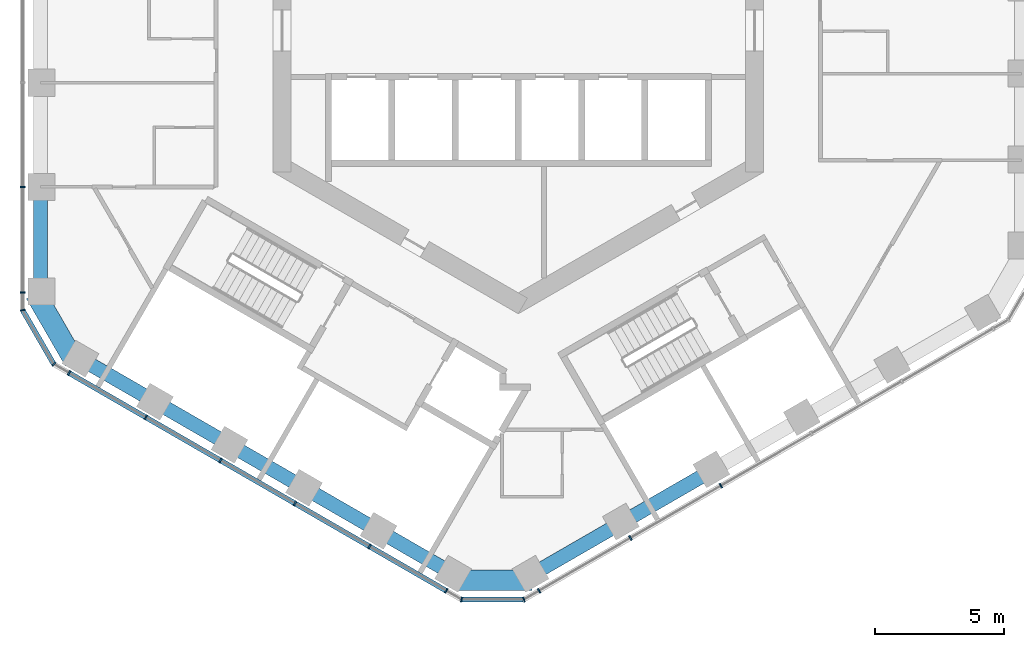
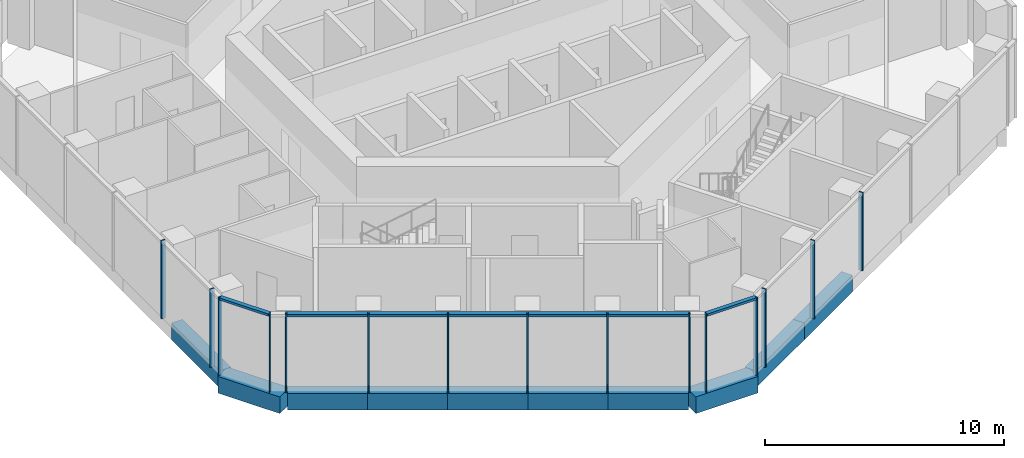
# One storey, part 2 of 25: 18 members, 10 beams, 5 elements without a shape of their own.
"""IFC4 building model written with IfcOpenShell, lengths in metres."""

from ifc_helpers import new_model, si_unit, direction, frame, origin, origin_2d, place, context, subcontext, project, spatial, rectangle, extrude, material, layer, layer_set, material_profile, profile_set, type_object, element, aggregate, save


model = new_model("IFC4")

# Units and contexts
model_context = context("Model", 3, precision=1e-05, world=origin(), true_north=direction((0.0, 1.0)))
body_context = subcontext(model_context, "Body", "Model", "MODEL_VIEW")
ifc_project = project(units=[si_unit("LENGTHUNIT", "METRE"), si_unit("AREAUNIT", "SQUARE_METRE"), si_unit("VOLUMEUNIT", "CUBIC_METRE"), si_unit("PLANEANGLEUNIT", "RADIAN"), si_unit("MASSUNIT", "GRAM", prefix="KILO")], contexts=[model_context])

# Site, building, storey
site_placement = place(None, origin())
site = spatial("IfcSite", under=ifc_project, at=site_placement, CompositionType="ELEMENT")
building_placement = place(site_placement, origin())
building = spatial("IfcBuilding", under=site, at=building_placement, Name="Ayvan Gate Tower", CompositionType="ELEMENT")
storey_placement = place(building_placement, frame((0.0, 0.0, 139.89990234375)))
storey = spatial("IfcBuildingStorey", under=building, at=storey_placement, Name="L37", CompositionType="ELEMENT", Elevation=139.89990234375)

# Beams
ifc_material_1 = material(Name="Concrete C40/50", Category="concrete")
ifc_material_profile_1 = material_profile(ifc_material_1, rectangle(XDim=0.800048828125, YDim=0.85009765625, at=origin_2d()), Name="RC 800x850")
ifc_profile_set_1 = profile_set([ifc_material_profile_1], Name="Concrete C40/50")
beam_type_1 = type_object("IfcBeamType", Name="Corner spandrel beam RC 800x850 C40/50", PredefinedType="BEAM", material=ifc_profile_set_1)
beam_1_placement = place(storey_placement, frame((-18.698974609375, -10.192138671875, -0.824951171875), z_axis=(0.50002537861, -0.866010750942, 0.0), x_axis=(0.866010750942, 0.50002537861, 0.0)))
element("IfcBeam", 1, at=beam_1_placement, inside=storey, type_object=beam_type_1, Name="SB-L37-24", PredefinedType="BEAM", context=body_context, shape_type="SweptSolid", body=[
    extrude(rectangle(XDim=0.800048828125, YDim=0.85009765625, at=origin_2d()), origin(), (0.0, 0.0, 1.0), 2.999755859375),
])
beam_2_placement = place(storey_placement, frame((-2.47705078125, -21.289794921875, -0.824951171875), z_axis=(1.0, 0.0, 0.0), x_axis=(0.0, 1.0, 0.0)))
element("IfcBeam", 2, at=beam_2_placement, inside=storey, type_object=beam_type_1, Name="SB-L37-30", PredefinedType="BEAM", context=body_context, shape_type="SweptSolid", body=[
    extrude(rectangle(XDim=0.800048828125, YDim=0.85009765625, at=origin_2d()), origin(), (0.0, 0.0, 1.0), 3.0),
])
ifc_material_profile_2 = material_profile(ifc_material_1, rectangle(XDim=0.550048828125, YDim=0.85009765625, at=origin_2d()), Name="RC 550x850")
ifc_profile_set_2 = profile_set([ifc_material_profile_2], Name="Concrete C40/50")
beam_type_2 = type_object("IfcBeamType", Name="Spandrel beam RC 550x850 C40/50", PredefinedType="BEAM", material=ifc_profile_set_2)
beam_3_placement = place(storey_placement, frame((-18.508544921875, -6.04931640625, -0.824951171875), z_axis=(0.0, -1.0, 0.0), x_axis=(1.0, 0.0, 0.0)))
element("IfcBeam", 3, at=beam_3_placement, inside=storey, type_object=beam_type_2, Name="SB-L37-23", PredefinedType="BEAM", context=body_context, shape_type="SweptSolid", body=[
    extrude(rectangle(XDim=0.550048828125, YDim=0.85009765625, at=origin_2d()), origin(), (0.0, 0.0, 1.0), 4.03271484375),
])
for number, where, z_axis, x_axis, name in (
    (4, (-17.008544921875, -12.68017578125, -0.824951171875), (0.866018397847, -0.500012134443, 0.0), (0.500012134443, 0.866018397847, 0.0), "SB-L37-25"),
    (5, (-14.102294921875, -14.358154296875, -0.824951171875), (0.866018397847, -0.500012134443, 0.0), (0.500012134443, 0.866018397847, 0.0), "SB-L37-26"),
    (6, (-11.196044921875, -16.0361328125, -0.824951171875), (0.866068082952, -0.499926070226, 0.0), (0.499926070226, 0.866068082952, 0.0), "SB-L37-27"),
    (7, (-8.28955078125, -17.7138671875, -0.824951171875), (0.866018397847, -0.500012134443, 0.0), (0.500012134443, 0.866018397847, 0.0), "SB-L37-28"),
    (8, (-5.38330078125, -19.391845703125, -0.824951171875), (0.866018397847, -0.500012134443, 0.0), (0.500012134443, 0.866018397847, 0.0), "SB-L37-29"),
):
    element("IfcBeam", number, at=place(storey_placement, frame(where, z_axis=z_axis, x_axis=x_axis)), inside=storey, type_object=beam_type_2, Name=name, PredefinedType="BEAM", context=body_context, shape_type="SweptSolid", body=[
        extrude(rectangle(XDim=0.550048828125, YDim=0.85009765625, at=origin_2d()), origin(), (0.0, 0.0, 1.0), 3.35595703125),
    ])
beam_4_placement = place(storey_placement, frame((0.52294921875, -21.06982421875, -0.824951171875), z_axis=(0.86602528846, 0.500000199748, 0.0), x_axis=(-0.500000199748, 0.86602528846, 0.0)))
element("IfcBeam", 9, at=beam_4_placement, inside=storey, type_object=beam_type_2, Name="SB-L37-31", PredefinedType="BEAM", context=body_context, shape_type="SweptSolid", body=[
    extrude(rectangle(XDim=0.550048828125, YDim=0.85009765625, at=origin_2d()), origin(), (0.0, 0.0, 1.0), 4.03271484375),
])
beam_5_placement = place(storey_placement, frame((4.015380859375, -19.053466796875, -0.824951171875), z_axis=(0.866040422292, 0.499973986279, 0.0), x_axis=(-0.499973986279, 0.866040422292, 0.0)))
element("IfcBeam", 10, at=beam_5_placement, inside=storey, type_object=beam_type_2, Name="SB-L37-32", PredefinedType="BEAM", context=body_context, shape_type="SweptSolid", body=[
    extrude(rectangle(XDim=0.550048828125, YDim=0.85009765625, at=origin_2d()), origin(), (0.0, 0.0, 1.0), 4.032958984375),
])

# Curtain wall, members
ifc_material_2 = material(Name="Bronze anodised aluminium", Category="aluminium")
ifc_layer_1 = layer(ifc_material_2, 0.199951171875)
ifc_layer_set_1 = layer_set([ifc_layer_1], Name="Bronze anodised aluminium")
curtain_wall_type_1 = type_object("IfcCurtainWallType", Name="Stick curtain wall CW-1", PredefinedType="NOTDEFINED", material=ifc_layer_set_1)
curtain_wall_1_placement = place(storey_placement, origin())
curtain_wall_1 = element("IfcCurtainWall", 11, at=curtain_wall_1_placement, inside=storey, type_object=curtain_wall_type_1, Name="Stick curtain wall CW-1 L37", PredefinedType="NOTDEFINED")
ifc_material_profile_3 = material_profile(ifc_material_2, rectangle(XDim=0.199951171875, YDim=0.06005859375, at=origin_2d()), Name="Stick curtain wall CW-1 mullion 200 x 60")
ifc_profile_set_3 = profile_set([ifc_material_profile_3], Name="Bronze anodised aluminium")
member_type_1 = type_object("IfcMemberType", Name="Stick curtain wall CW-1 mullion 200 x 60", PredefinedType="MULLION", material=ifc_profile_set_3)
member_1_placement = place(storey_placement, frame((-19.194091796875, -6.06640625, 0.0), z_axis=(0.0, 0.0, 1.0), x_axis=(-1.0, 0.0, 0.0)))
member_1 = element("IfcMember", 12, at=member_1_placement, type_object=member_type_1, Name="CW-1 mullion 5", PredefinedType="MULLION", context=body_context, shape_type="SweptSolid", body=[
    extrude(rectangle(XDim=0.199951171875, YDim=0.06005859375, at=origin_2d()), origin(), (0.0, 0.0, 1.0), 4.0),
])
member_2_placement = place(storey_placement, frame((-19.194091796875, -10.152587890625, 0.0), z_axis=(0.0, 0.0, 1.0), x_axis=(-1.0, 0.0, 0.0)))
member_2 = element("IfcMember", 13, at=member_2_placement, type_object=member_type_1, Name="CW-1 mullion 6", PredefinedType="MULLION", context=body_context, shape_type="SweptSolid", body=[
    extrude(rectangle(XDim=0.199951171875, YDim=0.06005859375, at=origin_2d()), origin(), (0.0, 0.0, 1.0), 4.0),
])
aggregate(curtain_wall_1, [member_1, member_2])

curtain_wall_2_placement = place(storey_placement, origin())
curtain_wall_2 = element("IfcCurtainWall", 14, at=curtain_wall_2_placement, inside=storey, type_object=curtain_wall_type_1, Name="Stick curtain wall CW-1 L37", PredefinedType="NOTDEFINED")
member_3_placement = place(storey_placement, frame((-17.39794921875, -13.263671875, 0.0), z_axis=(0.0, 0.0, 1.0), x_axis=(-0.5, -0.866025403784, 0.0)))
member_3 = element("IfcMember", 15, at=member_3_placement, type_object=member_type_1, Name="CW-1 mullion 1", PredefinedType="MULLION", context=body_context, shape_type="SweptSolid", body=[
    extrude(rectangle(XDim=0.199951171875, YDim=0.06005859375, at=origin_2d()), origin(), (0.0, 0.0, 1.0), 4.0),
])
member_4_placement = place(storey_placement, frame((-14.42236328125, -14.981689453125, 0.0), z_axis=(0.0, 0.0, 1.0), x_axis=(-0.5, -0.866025403784, 0.0)))
member_4 = element("IfcMember", 16, at=member_4_placement, type_object=member_type_1, Name="CW-1 mullion 2", PredefinedType="MULLION", context=body_context, shape_type="SweptSolid", body=[
    extrude(rectangle(XDim=0.199951171875, YDim=0.06005859375, at=origin_2d()), origin(), (0.0, 0.0, 1.0), 4.0),
])
member_5_placement = place(storey_placement, frame((-11.535888671875, -16.648193359375, 0.0), z_axis=(0.0, 0.0, 1.0), x_axis=(-0.5, -0.866025403784, 0.0)))
member_5 = element("IfcMember", 17, at=member_5_placement, type_object=member_type_1, Name="CW-1 mullion 3", PredefinedType="MULLION", context=body_context, shape_type="SweptSolid", body=[
    extrude(rectangle(XDim=0.199951171875, YDim=0.06005859375, at=origin_2d()), origin(), (0.0, 0.0, 1.0), 4.0),
])
member_6_placement = place(storey_placement, frame((-8.6494140625, -18.314697265625, 0.0), z_axis=(0.0, 0.0, 1.0), x_axis=(-0.5, -0.866025403784, 0.0)))
member_6 = element("IfcMember", 18, at=member_6_placement, type_object=member_type_1, Name="CW-1 mullion 4", PredefinedType="MULLION", context=body_context, shape_type="SweptSolid", body=[
    extrude(rectangle(XDim=0.199951171875, YDim=0.06005859375, at=origin_2d()), origin(), (0.0, 0.0, 1.0), 4.0),
])
member_7_placement = place(storey_placement, frame((-5.762939453125, -19.98095703125, 0.0), z_axis=(0.0, 0.0, 1.0), x_axis=(-0.5, -0.866025403784, 0.0)))
member_7 = element("IfcMember", 19, at=member_7_placement, type_object=member_type_1, Name="CW-1 mullion 5", PredefinedType="MULLION", context=body_context, shape_type="SweptSolid", body=[
    extrude(rectangle(XDim=0.199951171875, YDim=0.06005859375, at=origin_2d()), origin(), (0.0, 0.0, 1.0), 4.0),
])
member_8_placement = place(storey_placement, frame((-2.78759765625, -21.698974609375, 0.0), z_axis=(0.0, 0.0, 1.0), x_axis=(-0.5, -0.866025403784, 0.0)))
member_8 = element("IfcMember", 20, at=member_8_placement, type_object=member_type_1, Name="CW-1 mullion 6", PredefinedType="MULLION", context=body_context, shape_type="SweptSolid", body=[
    extrude(rectangle(XDim=0.199951171875, YDim=0.06005859375, at=origin_2d()), origin(), (0.0, 0.0, 1.0), 4.0),
])

curtain_wall_3_placement = place(storey_placement, origin())
curtain_wall_3 = element("IfcCurtainWall", 21, at=curtain_wall_3_placement, inside=storey, type_object=curtain_wall_type_1, Name="Stick curtain wall CW-1 L37", PredefinedType="NOTDEFINED")
member_9_placement = place(storey_placement, frame((0.8046875, -21.698974609375, 0.0), z_axis=(0.0, 0.0, 1.0), x_axis=(0.5, -0.866025403784, 0.0)))
member_9 = element("IfcMember", 22, at=member_9_placement, type_object=member_type_1, Name="CW-1 mullion 1", PredefinedType="MULLION", context=body_context, shape_type="SweptSolid", body=[
    extrude(rectangle(XDim=0.199951171875, YDim=0.06005859375, at=origin_2d()), origin(), (0.0, 0.0, 1.0), 4.0),
])
member_10_placement = place(storey_placement, frame((4.34326171875, -19.65576171875, 0.0), z_axis=(0.0, 0.0, 1.0), x_axis=(0.5, -0.866025403784, 0.0)))
member_10 = element("IfcMember", 23, at=member_10_placement, type_object=member_type_1, Name="CW-1 mullion 2", PredefinedType="MULLION", context=body_context, shape_type="SweptSolid", body=[
    extrude(rectangle(XDim=0.199951171875, YDim=0.06005859375, at=origin_2d()), origin(), (0.0, 0.0, 1.0), 4.0),
])
member_11_placement = place(storey_placement, frame((7.845458984375, -17.6337890625, 0.0), z_axis=(0.0, 0.0, 1.0), x_axis=(0.5, -0.866025403784, 0.0)))
member_11 = element("IfcMember", 24, at=member_11_placement, type_object=member_type_1, Name="CW-1 mullion 3", PredefinedType="MULLION", context=body_context, shape_type="SweptSolid", body=[
    extrude(rectangle(XDim=0.199951171875, YDim=0.06005859375, at=origin_2d()), origin(), (0.0, 0.0, 1.0), 4.0),
])
aggregate(curtain_wall_3, [member_9, member_10, member_11])

# Member
ifc_material_profile_4 = material_profile(ifc_material_2, rectangle(XDim=0.199951171875, YDim=0.1201171875, at=origin_2d()), Name="Stick curtain wall CW-1 transom 200 x 120")
ifc_profile_set_4 = profile_set([ifc_material_profile_4], Name="Bronze anodised aluminium")
member_type_2 = type_object("IfcMemberType", Name="Stick curtain wall CW-1 transom 200 x 120", PredefinedType="USERDEFINED", material=ifc_profile_set_4)
member_12_placement = place(storey_placement, frame((-17.39794921875, -13.263671875, 3.940185546875), z_axis=(0.866025087395, -0.500000548001, 0.0), x_axis=(0.500000548001, 0.866025087395, 0.0)))
member_12 = element("IfcMember", 25, at=member_12_placement, type_object=member_type_2, Name="CW-1 transom 1", ObjectType="TRANSOM", PredefinedType="USERDEFINED", context=body_context, shape_type="SweptSolid", body=[
    extrude(rectangle(XDim=0.199951171875, YDim=0.1201171875, at=origin_2d()), origin(), (0.0, 0.0, 1.0), 16.87060546875),
])

aggregate(curtain_wall_2, [member_3, member_4, member_5, member_6, member_7, member_8, member_12])

# Curtain wall, members
ifc_layer_2 = layer(ifc_material_2, 0.199951171875)
ifc_layer_set_2 = layer_set([ifc_layer_2], Name="Bronze anodised aluminium")
curtain_wall_type_2 = type_object("IfcCurtainWallType", Name="Stick curtain wall CW-6", PredefinedType="NOTDEFINED", material=ifc_layer_set_2)
curtain_wall_4_placement = place(storey_placement, origin())
curtain_wall_4 = element("IfcCurtainWall", 26, at=curtain_wall_4_placement, inside=storey, type_object=curtain_wall_type_2, Name="Stick curtain wall CW-6 L37", PredefinedType="NOTDEFINED")
ifc_material_profile_5 = material_profile(ifc_material_2, rectangle(XDim=0.199951171875, YDim=0.050048828125, at=origin_2d()), Name="Stick curtain wall CW-6 mullion 200 x 50")
ifc_profile_set_5 = profile_set([ifc_material_profile_5], Name="Bronze anodised aluminium")
member_type_3 = type_object("IfcMemberType", Name="Stick curtain wall CW-6 mullion 200 x 50", PredefinedType="MULLION", material=ifc_profile_set_5)
member_13_placement = place(storey_placement, frame((-19.194091796875, -10.83251953125, 0.0), z_axis=(0.0, 0.0, 1.0), x_axis=(-0.965925826289, -0.258819045103, 0.0)))
member_13 = element("IfcMember", 27, at=member_13_placement, type_object=member_type_3, Name="CW-6 mullion 2", PredefinedType="MULLION", context=body_context, shape_type="SweptSolid", body=[
    extrude(rectangle(XDim=0.199951171875, YDim=0.050048828125, at=origin_2d()), origin(), (0.0, 0.0, 1.0), 4.0),
])
member_14_placement = place(storey_placement, frame((-17.98681640625, -12.923583984375, 0.0), z_axis=(0.0, 0.0, 1.0), x_axis=(-0.707106781187, -0.707106781187, 0.0)))
member_14 = element("IfcMember", 28, at=member_14_placement, type_object=member_type_3, Name="CW-6 mullion 3", PredefinedType="MULLION", context=body_context, shape_type="SweptSolid", body=[
    extrude(rectangle(XDim=0.199951171875, YDim=0.050048828125, at=origin_2d()), origin(), (0.0, 0.0, 1.0), 4.0),
])

curtain_wall_5_placement = place(storey_placement, origin())
curtain_wall_5 = element("IfcCurtainWall", 29, at=curtain_wall_5_placement, inside=storey, type_object=curtain_wall_type_2, Name="Stick curtain wall CW-6 L37", PredefinedType="NOTDEFINED")
member_15_placement = place(storey_placement, frame((-2.19873046875, -22.038818359375, 0.0), z_axis=(0.0, 0.0, 1.0), x_axis=(-0.258819045103, -0.965925826289, 0.0)))
member_15 = element("IfcMember", 30, at=member_15_placement, type_object=member_type_3, Name="CW-6 mullion 2", PredefinedType="MULLION", context=body_context, shape_type="SweptSolid", body=[
    extrude(rectangle(XDim=0.199951171875, YDim=0.050048828125, at=origin_2d()), origin(), (0.0, 0.0, 1.0), 4.0),
])
member_16_placement = place(storey_placement, frame((0.2158203125, -22.038818359375, 0.0), z_axis=(0.0, 0.0, 1.0), x_axis=(0.258819045103, -0.965925826289, 0.0)))
member_16 = element("IfcMember", 31, at=member_16_placement, type_object=member_type_3, Name="CW-6 mullion 3", PredefinedType="MULLION", context=body_context, shape_type="SweptSolid", body=[
    extrude(rectangle(XDim=0.199951171875, YDim=0.050048828125, at=origin_2d()), origin(), (0.0, 0.0, 1.0), 4.0),
])

# Member
ifc_material_profile_6 = material_profile(ifc_material_2, rectangle(XDim=0.199951171875, YDim=0.1201171875, at=origin_2d()), Name="Stick curtain wall CW-6 transom 200 x 120")
ifc_profile_set_6 = profile_set([ifc_material_profile_6], Name="Bronze anodised aluminium")
member_type_4 = type_object("IfcMemberType", Name="Stick curtain wall CW-6 transom 200 x 120", PredefinedType="USERDEFINED", material=ifc_profile_set_6)
member_17_placement = place(storey_placement, frame((-19.181640625, -10.854248046875, 3.940185546875), z_axis=(0.500059108572, -0.865991274745, 0.0), x_axis=(0.865991274745, 0.500059108572, 0.0)))
member_17 = element("IfcMember", 32, at=member_17_placement, type_object=member_type_4, Name="CW-6 transom 2", ObjectType="TRANSOM", PredefinedType="USERDEFINED", context=body_context, shape_type="SweptSolid", body=[
    extrude(rectangle(XDim=0.199951171875, YDim=0.1201171875, at=origin_2d()), origin(), (0.0, 0.0, 1.0), 2.364501953125),
])

aggregate(curtain_wall_4, [member_13, member_14, member_17])

member_18_placement = place(storey_placement, frame((-2.173828125, -22.038818359375, 3.940185546875), z_axis=(1.0, 0.0, 0.0), x_axis=(0.0, 1.0, 0.0)))
member_18 = element("IfcMember", 33, at=member_18_placement, type_object=member_type_4, Name="CW-6 transom 2", ObjectType="TRANSOM", PredefinedType="USERDEFINED", context=body_context, shape_type="SweptSolid", body=[
    extrude(rectangle(XDim=0.199951171875, YDim=0.1201171875, at=origin_2d()), origin(), (0.0, 0.0, 1.0), 2.36474609375),
])

aggregate(curtain_wall_5, [member_15, member_16, member_18])

save(model, "model.ifc")
